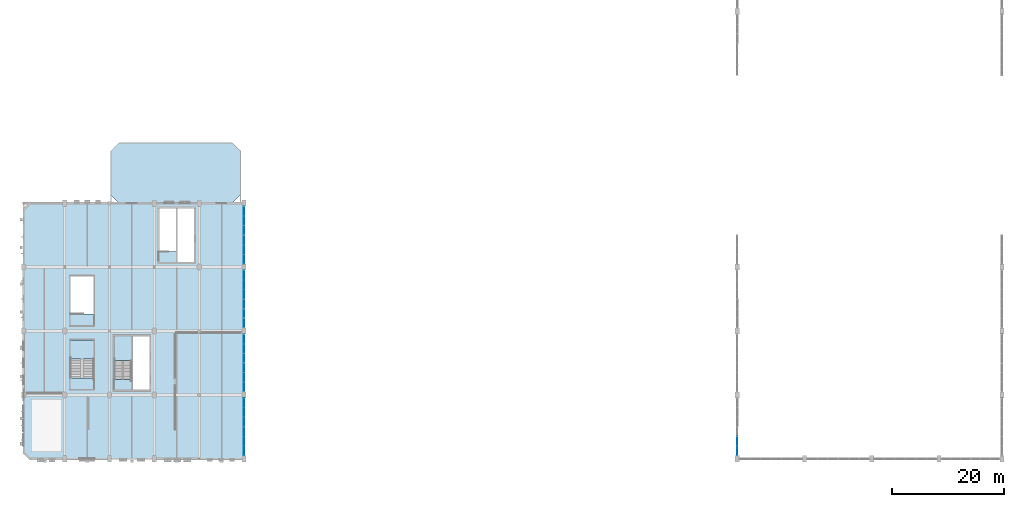
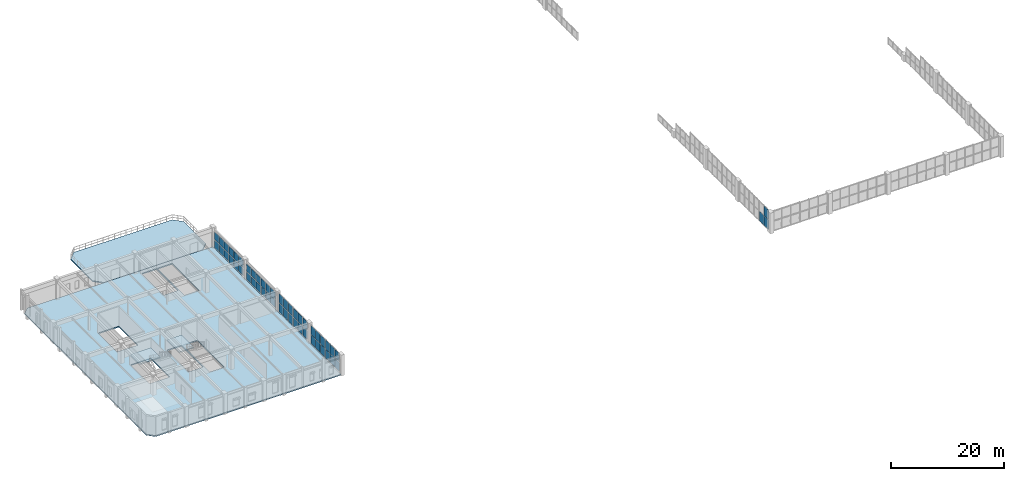
# One storey, part 30 of 48: 51 plates, 4 slabs, 11 elements without a shape of their own.
"""IFC4 building model written with IfcOpenShell, lengths in metres."""

from ifc_helpers import new_model, si_unit, direction, frame, origin, origin_2d, place, context, subcontext, project, spatial, polyline, rectangle, outline, extrude, material, layer, layer_set, type_object, element, aggregate, save


model = new_model("IFC4")

# Units and contexts
model_context = context("Model", 3, precision=1e-05, world=origin(), true_north=direction((0.0, 1.0)))
body_context = subcontext(model_context, "Body", "Model", "MODEL_VIEW")
ifc_project = project(units=[si_unit("LENGTHUNIT", "METRE"), si_unit("AREAUNIT", "SQUARE_METRE"), si_unit("VOLUMEUNIT", "CUBIC_METRE"), si_unit("PLANEANGLEUNIT", "RADIAN"), si_unit("MASSUNIT", "GRAM", prefix="KILO"), si_unit("POWERUNIT", "WATT"), si_unit("THERMODYNAMICTEMPERATUREUNIT", "KELVIN")], contexts=[model_context])

# Site, building, storey
site_placement = place(None, origin())
site = spatial("IfcSite", under=ifc_project, at=site_placement, CompositionType="ELEMENT")
building_placement = place(site_placement, origin())
building = spatial("IfcBuilding", under=site, at=building_placement, Name="Kelmbourne Parkland Aquatics Centre", CompositionType="ELEMENT")
storey_placement = place(building_placement, frame((0.0, 0.0, 14.699951171875)))
storey = spatial("IfcBuildingStorey", under=building, at=storey_placement, Name="L03", CompositionType="ELEMENT", Elevation=14.699951171875)

# Curtain wall, plates
ifc_material_1 = material(Name="Thermally broken anodised aluminium framing", Category="aluminium")
ifc_layer_1 = layer(ifc_material_1, 0.179931640625)
ifc_layer_set_1 = layer_set([ifc_layer_1], Name="Thermally broken anodised aluminium framing")
curtain_wall_type_1 = type_object("IfcCurtainWallType", Name="CW-06", PredefinedType="NOTDEFINED", material=ifc_layer_set_1)
curtain_wall_1_placement = place(storey_placement, origin())
curtain_wall_1 = element("IfcCurtainWall", 1, at=curtain_wall_1_placement, inside=storey, type_object=curtain_wall_type_1, Name="Wave-hall clerestory curtain wall CW-L03-006", PredefinedType="NOTDEFINED")
ifc_material_2 = material(Name="Double-glazed low-e laminated safety glass", Category="glass")
ifc_layer_2 = layer(ifc_material_2, 0.0419921875)
ifc_layer_set_2 = layer_set([ifc_layer_2], Name="Double-glazed low-e laminated safety glass")
plate_type_1 = type_object("IfcPlateType", Name="PL-CLR-1", PredefinedType="USERDEFINED", material=ifc_layer_set_2)
plate_1_placement = place(storey_placement, frame((128.0, 2.235107421875, 2.279296875), z_axis=(0.0, 0.0, 1.0), x_axis=(0.0, 1.0, 0.0)))
plate_1 = element("IfcPlate", 2, at=plate_1_placement, type_object=plate_type_1, Name="CW-L03-006 clerestory glazing 1-0", ObjectType="CLERESTORY GLAZING", PredefinedType="USERDEFINED", context=body_context, shape_type="SweptSolid", body=[
    extrude(rectangle(XDim=1.6279296875, YDim=0.0419921875, at=origin_2d()), origin(), (0.0, 0.0, 1.0), 2.053955078125),
])
ifc_layer_3 = layer(ifc_material_2, 0.02392578125)
ifc_layer_set_3 = layer_set([ifc_layer_3], Name="Double-glazed low-e laminated safety glass")
plate_type_2 = type_object("IfcPlateType", Name="PL-CWP-1", PredefinedType="CURTAIN_PANEL", material=ifc_layer_set_3)
plate_2_placement = place(storey_placement, frame((128.0, 2.235107421875, 0.1171875), z_axis=(0.0, 0.0, 1.0), x_axis=(0.0, 1.0, 0.0)))
plate_2 = element("IfcPlate", 3, at=plate_2_placement, type_object=plate_type_2, Name="CW-L03-006 vision glazing 0-0", PredefinedType="CURTAIN_PANEL", context=body_context, shape_type="SweptSolid", body=[
    extrude(rectangle(XDim=1.6279296875, YDim=0.02392578125, at=origin_2d()), origin(), (0.0, 0.0, 1.0), 2.053955078125),
])
plate_3_placement = place(storey_placement, frame((128.0, 3.926025390625, 0.1171875), z_axis=(0.0, 0.0, 1.0), x_axis=(0.0, 1.0, 0.0)))
plate_3 = element("IfcPlate", 4, at=plate_3_placement, type_object=plate_type_2, Name="CW-L03-006 vision glazing 0-1", PredefinedType="CURTAIN_PANEL", context=body_context, shape_type="SweptSolid", body=[
    extrude(rectangle(XDim=1.6279296875, YDim=0.02392578125, at=origin_2d()), origin(), (0.0, 0.0, 1.0), 2.053955078125),
])
aggregate(curtain_wall_1, [plate_2, plate_3, plate_1])

ifc_layer_4 = layer(ifc_material_1, 0.179931640625)
ifc_layer_set_4 = layer_set([ifc_layer_4], Name="Thermally broken anodised aluminium framing")
curtain_wall_type_2 = type_object("IfcCurtainWallType", Name="CW-15", PredefinedType="NOTDEFINED", material=ifc_layer_set_4)
curtain_wall_2_placement = place(storey_placement, origin())
curtain_wall_2 = element("IfcCurtainWall", 5, at=curtain_wall_2_placement, inside=storey, type_object=curtain_wall_type_2, Name="Facade curtain wall CW-L03-255", PredefinedType="NOTDEFINED")
plate_4_placement = place(storey_placement, frame((40.0, 2.231689453125, 0.1171875), z_axis=(0.0, 0.0, 1.0), x_axis=(0.0, 1.0, 0.0)))
plate_4 = element("IfcPlate", 6, at=plate_4_placement, type_object=plate_type_2, Name="CW-L03-255 vision glazing 0-0", PredefinedType="CURTAIN_PANEL", context=body_context, shape_type="SweptSolid", body=[
    extrude(rectangle(XDim=1.641357421875, YDim=0.02392578125, at=origin_2d()), origin(), (0.0, 0.0, 1.0), 1.928955078125),
])
plate_5_placement = place(storey_placement, frame((40.0, 3.926025390625, 0.1171875), z_axis=(0.0, 0.0, 1.0), x_axis=(0.0, 1.0, 0.0)))
plate_5 = element("IfcPlate", 7, at=plate_5_placement, type_object=plate_type_2, Name="CW-L03-255 vision glazing 0-1", PredefinedType="CURTAIN_PANEL", context=body_context, shape_type="SweptSolid", body=[
    extrude(rectangle(XDim=1.641357421875, YDim=0.02392578125, at=origin_2d()), origin(), (0.0, 0.0, 1.0), 1.928955078125),
])
plate_6_placement = place(storey_placement, frame((40.0, 5.620361328125, 0.1171875), z_axis=(0.0, 0.0, 1.0), x_axis=(0.0, 1.0, 0.0)))
plate_6 = element("IfcPlate", 8, at=plate_6_placement, type_object=plate_type_2, Name="CW-L03-255 vision glazing 0-2", PredefinedType="CURTAIN_PANEL", context=body_context, shape_type="SweptSolid", body=[
    extrude(rectangle(XDim=1.641357421875, YDim=0.02392578125, at=origin_2d()), origin(), (0.0, 0.0, 1.0), 1.928955078125),
])

ifc_layer_5 = layer(ifc_material_1, 0.179931640625)
ifc_layer_set_5 = layer_set([ifc_layer_5], Name="Thermally broken anodised aluminium framing")
curtain_wall_type_3 = type_object("IfcCurtainWallType", Name="CW-17", PredefinedType="NOTDEFINED", material=ifc_layer_set_5)
curtain_wall_3_placement = place(storey_placement, origin())
curtain_wall_3 = element("IfcCurtainWall", 9, at=curtain_wall_3_placement, inside=storey, type_object=curtain_wall_type_3, Name="Facade curtain wall CW-L03-257", PredefinedType="NOTDEFINED")
plate_7_placement = place(storey_placement, frame((40.0, 13.638427734375, 2.18408203125), z_axis=(0.0, 0.0, 1.0), x_axis=(0.0, 1.0, 0.0)))
plate_7 = element("IfcPlate", 10, at=plate_7_placement, type_object=plate_type_2, Name="CW-L03-257 vision glazing 1-0", PredefinedType="CURTAIN_PANEL", context=body_context, shape_type="SweptSolid", body=[
    extrude(rectangle(XDim=1.61474609375, YDim=0.02392578125, at=origin_2d()), origin(), (0.0, 0.0, 1.0), 1.839111328125),
])
plate_8_placement = place(storey_placement, frame((40.0, 15.325927734375, 2.18408203125), z_axis=(0.0, 0.0, 1.0), x_axis=(0.0, 1.0, 0.0)))
plate_8 = element("IfcPlate", 11, at=plate_8_placement, type_object=plate_type_2, Name="CW-L03-257 vision glazing 1-1", PredefinedType="CURTAIN_PANEL", context=body_context, shape_type="SweptSolid", body=[
    extrude(rectangle(XDim=1.614501953125, YDim=0.02392578125, at=origin_2d()), origin(), (0.0, 0.0, 1.0), 1.839111328125),
])
plate_9_placement = place(storey_placement, frame((40.0, 17.013671875, 2.18408203125), z_axis=(0.0, 0.0, 1.0), x_axis=(0.0, 1.0, 0.0)))
plate_9 = element("IfcPlate", 12, at=plate_9_placement, type_object=plate_type_2, Name="CW-L03-257 vision glazing 1-2", PredefinedType="CURTAIN_PANEL", context=body_context, shape_type="SweptSolid", body=[
    extrude(rectangle(XDim=1.61474609375, YDim=0.02392578125, at=origin_2d()), origin(), (0.0, 0.0, 1.0), 1.839111328125),
])

ifc_layer_6 = layer(ifc_material_1, 0.179931640625)
ifc_layer_set_6 = layer_set([ifc_layer_6], Name="Thermally broken anodised aluminium framing")
curtain_wall_type_4 = type_object("IfcCurtainWallType", Name="CW-18", PredefinedType="NOTDEFINED", material=ifc_layer_set_6)
curtain_wall_4_placement = place(storey_placement, origin())
curtain_wall_4 = element("IfcCurtainWall", 13, at=curtain_wall_4_placement, inside=storey, type_object=curtain_wall_type_4, Name="Facade curtain wall CW-L03-258", PredefinedType="NOTDEFINED")
plate_10_placement = place(storey_placement, frame((40.0, 18.78955078125, 0.1171875), z_axis=(0.0, 0.0, 1.0), x_axis=(0.0, 1.0, 0.0)))
plate_10 = element("IfcPlate", 14, at=plate_10_placement, type_object=plate_type_2, Name="CW-L03-258 vision glazing 0-0", PredefinedType="CURTAIN_PANEL", context=body_context, shape_type="SweptSolid", body=[
    extrude(rectangle(XDim=1.601318359375, YDim=0.02392578125, at=origin_2d()), origin(), (0.0, 0.0, 1.0), 1.928955078125),
])
plate_11_placement = place(storey_placement, frame((40.0, 20.47412109375, 0.1171875), z_axis=(0.0, 0.0, 1.0), x_axis=(0.0, 1.0, 0.0)))
plate_11 = element("IfcPlate", 15, at=plate_11_placement, type_object=plate_type_2, Name="CW-L03-258 vision glazing 0-1", PredefinedType="CURTAIN_PANEL", context=body_context, shape_type="SweptSolid", body=[
    extrude(rectangle(XDim=1.601318359375, YDim=0.02392578125, at=origin_2d()), origin(), (0.0, 0.0, 1.0), 1.928955078125),
])
plate_12_placement = place(storey_placement, frame((40.0, 22.158203125, 0.1171875), z_axis=(0.0, 0.0, 1.0), x_axis=(0.0, 1.0, 0.0)))
plate_12 = element("IfcPlate", 16, at=plate_12_placement, type_object=plate_type_2, Name="CW-L03-258 vision glazing 0-2", PredefinedType="CURTAIN_PANEL", context=body_context, shape_type="SweptSolid", body=[
    extrude(rectangle(XDim=1.601318359375, YDim=0.02392578125, at=origin_2d()), origin(), (0.0, 0.0, 1.0), 1.928955078125),
])

ifc_layer_7 = layer(ifc_material_1, 0.179931640625)
ifc_layer_set_7 = layer_set([ifc_layer_7], Name="Thermally broken anodised aluminium framing")
curtain_wall_type_5 = type_object("IfcCurtainWallType", Name="CW-20", PredefinedType="NOTDEFINED", material=ifc_layer_set_7)
curtain_wall_5_placement = place(storey_placement, origin())
curtain_wall_5 = element("IfcCurtainWall", 17, at=curtain_wall_5_placement, inside=storey, type_object=curtain_wall_type_5, Name="Facade curtain wall CW-L03-260", PredefinedType="NOTDEFINED")
plate_13_placement = place(storey_placement, frame((40.0, 30.1796875, 1.93994140625), z_axis=(0.0, 0.0, 1.0), x_axis=(0.0, 1.0, 0.0)))
plate_13 = element("IfcPlate", 18, at=plate_13_placement, type_object=plate_type_2, Name="CW-L03-260 vision glazing 1-0", PredefinedType="CURTAIN_PANEL", context=body_context, shape_type="SweptSolid", body=[
    extrude(rectangle(XDim=1.641357421875, YDim=0.02392578125, at=origin_2d()), origin(), (0.0, 0.0, 1.0), 1.594970703125),
])
plate_14_placement = place(storey_placement, frame((40.0, 31.8740234375, 1.93994140625), z_axis=(0.0, 0.0, 1.0), x_axis=(0.0, 1.0, 0.0)))
plate_14 = element("IfcPlate", 19, at=plate_14_placement, type_object=plate_type_2, Name="CW-L03-260 vision glazing 1-1", PredefinedType="CURTAIN_PANEL", context=body_context, shape_type="SweptSolid", body=[
    extrude(rectangle(XDim=1.641357421875, YDim=0.02392578125, at=origin_2d()), origin(), (0.0, 0.0, 1.0), 1.594970703125),
])
plate_15_placement = place(storey_placement, frame((40.0, 33.568359375, 1.93994140625), z_axis=(0.0, 0.0, 1.0), x_axis=(0.0, 1.0, 0.0)))
plate_15 = element("IfcPlate", 20, at=plate_15_placement, type_object=plate_type_2, Name="CW-L03-260 vision glazing 1-2", PredefinedType="CURTAIN_PANEL", context=body_context, shape_type="SweptSolid", body=[
    extrude(rectangle(XDim=1.641357421875, YDim=0.02392578125, at=origin_2d()), origin(), (0.0, 0.0, 1.0), 1.594970703125),
])

ifc_layer_8 = layer(ifc_material_1, 0.179931640625)
ifc_layer_set_8 = layer_set([ifc_layer_8], Name="Thermally broken anodised aluminium framing")
curtain_wall_type_6 = type_object("IfcCurtainWallType", Name="CW-21", PredefinedType="NOTDEFINED", material=ifc_layer_set_8)
curtain_wall_6_placement = place(storey_placement, origin())
curtain_wall_6 = element("IfcCurtainWall", 21, at=curtain_wall_6_placement, inside=storey, type_object=curtain_wall_type_6, Name="Facade curtain wall CW-L03-261", PredefinedType="NOTDEFINED")
plate_16_placement = place(storey_placement, frame((40.0, 36.43505859375, 0.116943359375), z_axis=(0.0, 0.0, 1.0), x_axis=(0.0, 1.0, 0.0)))
plate_16 = element("IfcPlate", 22, at=plate_16_placement, type_object=plate_type_2, Name="CW-L03-261 vision glazing 0-0", PredefinedType="CURTAIN_PANEL", context=body_context, shape_type="SweptSolid", body=[
    extrude(rectangle(XDim=1.6279296875, YDim=0.02392578125, at=origin_2d()), origin(), (0.0, 0.0, 1.0), 1.68505859375),
])
plate_17_placement = place(storey_placement, frame((40.0, 38.1259765625, 0.116943359375), z_axis=(0.0, 0.0, 1.0), x_axis=(0.0, 1.0, 0.0)))
plate_17 = element("IfcPlate", 23, at=plate_17_placement, type_object=plate_type_2, Name="CW-L03-261 vision glazing 0-1", PredefinedType="CURTAIN_PANEL", context=body_context, shape_type="SweptSolid", body=[
    extrude(rectangle(XDim=1.6279296875, YDim=0.02392578125, at=origin_2d()), origin(), (0.0, 0.0, 1.0), 1.68505859375),
])
plate_18_placement = place(storey_placement, frame((40.0, 39.81689453125, 0.116943359375), z_axis=(0.0, 0.0, 1.0), x_axis=(0.0, 1.0, 0.0)))
plate_18 = element("IfcPlate", 24, at=plate_18_placement, type_object=plate_type_2, Name="CW-L03-261 vision glazing 0-2", PredefinedType="CURTAIN_PANEL", context=body_context, shape_type="SweptSolid", body=[
    extrude(rectangle(XDim=1.6279296875, YDim=0.02392578125, at=origin_2d()), origin(), (0.0, 0.0, 1.0), 1.68505859375),
])

# Plate
ifc_layer_9 = layer(ifc_material_2, 0.035888671875)
ifc_layer_set_9 = layer_set([ifc_layer_9], Name="Double-glazed low-e laminated safety glass")
plate_type_3 = type_object("IfcPlateType", Name="PL-CWP-2", PredefinedType="CURTAIN_PANEL", material=ifc_layer_set_9)
plate_19_placement = place(storey_placement, frame((40.0, 2.231689453125, 2.154296875), z_axis=(0.0, 0.0, 1.0), x_axis=(0.0, 1.0, 0.0)))
plate_19 = element("IfcPlate", 25, at=plate_19_placement, type_object=plate_type_3, Name="CW-L03-255 vision glazing 1-0", PredefinedType="CURTAIN_PANEL", context=body_context, shape_type="SweptSolid", body=[
    extrude(rectangle(XDim=1.641357421875, YDim=0.035888671875, at=origin_2d()), origin(), (0.0, 0.0, 1.0), 1.928955078125),
])

plate_20_placement = place(storey_placement, frame((40.0, 3.926025390625, 2.154296875), z_axis=(0.0, 0.0, 1.0), x_axis=(0.0, 1.0, 0.0)))
plate_20 = element("IfcPlate", 26, at=plate_20_placement, type_object=plate_type_3, Name="CW-L03-255 vision glazing 1-1", PredefinedType="CURTAIN_PANEL", context=body_context, shape_type="SweptSolid", body=[
    extrude(rectangle(XDim=1.641357421875, YDim=0.035888671875, at=origin_2d()), origin(), (0.0, 0.0, 1.0), 1.928955078125),
])

plate_21_placement = place(storey_placement, frame((40.0, 5.620361328125, 2.154296875), z_axis=(0.0, 0.0, 1.0), x_axis=(0.0, 1.0, 0.0)))
plate_21 = element("IfcPlate", 27, at=plate_21_placement, type_object=plate_type_3, Name="CW-L03-255 vision glazing 1-2", PredefinedType="CURTAIN_PANEL", context=body_context, shape_type="SweptSolid", body=[
    extrude(rectangle(XDim=1.641357421875, YDim=0.035888671875, at=origin_2d()), origin(), (0.0, 0.0, 1.0), 1.928955078125),
])

aggregate(curtain_wall_2, [plate_4, plate_5, plate_6, plate_19, plate_20, plate_21])

# Curtain wall, plates
ifc_layer_10 = layer(ifc_material_1, 0.179931640625)
ifc_layer_set_10 = layer_set([ifc_layer_10], Name="Thermally broken anodised aluminium framing")
curtain_wall_type_7 = type_object("IfcCurtainWallType", Name="CW-16", PredefinedType="NOTDEFINED", material=ifc_layer_set_10)
curtain_wall_7_placement = place(storey_placement, origin())
curtain_wall_7 = element("IfcCurtainWall", 28, at=curtain_wall_7_placement, inside=storey, type_object=curtain_wall_type_7, Name="Facade curtain wall CW-L03-256", PredefinedType="NOTDEFINED")
plate_22_placement = place(storey_placement, frame((40.0, 7.383056640625, 0.14697265625), z_axis=(0.0, 0.0, 1.0), x_axis=(0.0, 1.0, 0.0)))
plate_22 = element("IfcPlate", 29, at=plate_22_placement, type_object=plate_type_3, Name="CW-L03-256 vision glazing 0-0", PredefinedType="CURTAIN_PANEL", context=body_context, shape_type="SweptSolid", body=[
    extrude(rectangle(XDim=1.6279296875, YDim=0.035888671875, at=origin_2d()), origin(), (0.0, 0.0, 1.0), 1.884033203125),
])
plate_23_placement = place(storey_placement, frame((40.0, 9.073974609375, 0.14697265625), z_axis=(0.0, 0.0, 1.0), x_axis=(0.0, 1.0, 0.0)))
plate_23 = element("IfcPlate", 30, at=plate_23_placement, type_object=plate_type_3, Name="CW-L03-256 vision glazing 0-1", PredefinedType="CURTAIN_PANEL", context=body_context, shape_type="SweptSolid", body=[
    extrude(rectangle(XDim=1.6279296875, YDim=0.035888671875, at=origin_2d()), origin(), (0.0, 0.0, 1.0), 1.884033203125),
])
plate_24_placement = place(storey_placement, frame((40.0, 10.764892578125, 0.14697265625), z_axis=(0.0, 0.0, 1.0), x_axis=(0.0, 1.0, 0.0)))
plate_24 = element("IfcPlate", 31, at=plate_24_placement, type_object=plate_type_3, Name="CW-L03-256 vision glazing 0-2", PredefinedType="CURTAIN_PANEL", context=body_context, shape_type="SweptSolid", body=[
    extrude(rectangle(XDim=1.6279296875, YDim=0.035888671875, at=origin_2d()), origin(), (0.0, 0.0, 1.0), 1.884033203125),
])

# Plate
plate_25_placement = place(storey_placement, frame((40.0, 18.78955078125, 2.154296875), z_axis=(0.0, 0.0, 1.0), x_axis=(0.0, 1.0, 0.0)))
plate_25 = element("IfcPlate", 32, at=plate_25_placement, type_object=plate_type_3, Name="CW-L03-258 vision glazing 1-0", PredefinedType="CURTAIN_PANEL", context=body_context, shape_type="SweptSolid", body=[
    extrude(rectangle(XDim=1.601318359375, YDim=0.035888671875, at=origin_2d()), origin(), (0.0, 0.0, 1.0), 1.928955078125),
])

plate_26_placement = place(storey_placement, frame((40.0, 20.47412109375, 2.154296875), z_axis=(0.0, 0.0, 1.0), x_axis=(0.0, 1.0, 0.0)))
plate_26 = element("IfcPlate", 33, at=plate_26_placement, type_object=plate_type_3, Name="CW-L03-258 vision glazing 1-1", PredefinedType="CURTAIN_PANEL", context=body_context, shape_type="SweptSolid", body=[
    extrude(rectangle(XDim=1.601318359375, YDim=0.035888671875, at=origin_2d()), origin(), (0.0, 0.0, 1.0), 1.928955078125),
])

plate_27_placement = place(storey_placement, frame((40.0, 22.158203125, 2.154296875), z_axis=(0.0, 0.0, 1.0), x_axis=(0.0, 1.0, 0.0)))
plate_27 = element("IfcPlate", 34, at=plate_27_placement, type_object=plate_type_3, Name="CW-L03-258 vision glazing 1-2", PredefinedType="CURTAIN_PANEL", context=body_context, shape_type="SweptSolid", body=[
    extrude(rectangle(XDim=1.601318359375, YDim=0.035888671875, at=origin_2d()), origin(), (0.0, 0.0, 1.0), 1.928955078125),
])

aggregate(curtain_wall_4, [plate_10, plate_11, plate_12, plate_25, plate_26, plate_27])

# Curtain wall, plates
ifc_layer_11 = layer(ifc_material_1, 0.179931640625)
ifc_layer_set_11 = layer_set([ifc_layer_11], Name="Thermally broken anodised aluminium framing")
curtain_wall_type_8 = type_object("IfcCurtainWallType", Name="CW-19", PredefinedType="NOTDEFINED", material=ifc_layer_set_11)
curtain_wall_8_placement = place(storey_placement, origin())
curtain_wall_8 = element("IfcCurtainWall", 35, at=curtain_wall_8_placement, inside=storey, type_object=curtain_wall_type_8, Name="Facade curtain wall CW-L03-259", PredefinedType="NOTDEFINED")
plate_28_placement = place(storey_placement, frame((40.0, 25.044921875, 0.14697265625), z_axis=(0.0, 0.0, 1.0), x_axis=(0.0, 1.0, 0.0)))
plate_28 = element("IfcPlate", 36, at=plate_28_placement, type_object=plate_type_3, Name="CW-L03-259 vision glazing 0-0", PredefinedType="CURTAIN_PANEL", context=body_context, shape_type="SweptSolid", body=[
    extrude(rectangle(XDim=1.587890625, YDim=0.035888671875, at=origin_2d()), origin(), (0.0, 0.0, 1.0), 1.639892578125),
])
plate_29_placement = place(storey_placement, frame((40.0, 26.72607421875, 0.14697265625), z_axis=(0.0, 0.0, 1.0), x_axis=(0.0, 1.0, 0.0)))
plate_29 = element("IfcPlate", 37, at=plate_29_placement, type_object=plate_type_3, Name="CW-L03-259 vision glazing 0-1", PredefinedType="CURTAIN_PANEL", context=body_context, shape_type="SweptSolid", body=[
    extrude(rectangle(XDim=1.587890625, YDim=0.035888671875, at=origin_2d()), origin(), (0.0, 0.0, 1.0), 1.639892578125),
])
plate_30_placement = place(storey_placement, frame((40.0, 28.406982421875, 0.14697265625), z_axis=(0.0, 0.0, 1.0), x_axis=(0.0, 1.0, 0.0)))
plate_30 = element("IfcPlate", 38, at=plate_30_placement, type_object=plate_type_3, Name="CW-L03-259 vision glazing 0-2", PredefinedType="CURTAIN_PANEL", context=body_context, shape_type="SweptSolid", body=[
    extrude(rectangle(XDim=1.587890625, YDim=0.035888671875, at=origin_2d()), origin(), (0.0, 0.0, 1.0), 1.639892578125),
])

# Plate
plate_31_placement = place(storey_placement, frame((40.0, 36.43505859375, 1.909912109375), z_axis=(0.0, 0.0, 1.0), x_axis=(0.0, 1.0, 0.0)))
plate_31 = element("IfcPlate", 39, at=plate_31_placement, type_object=plate_type_3, Name="CW-L03-261 vision glazing 1-0", PredefinedType="CURTAIN_PANEL", context=body_context, shape_type="SweptSolid", body=[
    extrude(rectangle(XDim=1.6279296875, YDim=0.035888671875, at=origin_2d()), origin(), (0.0, 0.0, 1.0), 1.68505859375),
])

plate_32_placement = place(storey_placement, frame((40.0, 38.1259765625, 1.909912109375), z_axis=(0.0, 0.0, 1.0), x_axis=(0.0, 1.0, 0.0)))
plate_32 = element("IfcPlate", 40, at=plate_32_placement, type_object=plate_type_3, Name="CW-L03-261 vision glazing 1-1", PredefinedType="CURTAIN_PANEL", context=body_context, shape_type="SweptSolid", body=[
    extrude(rectangle(XDim=1.6279296875, YDim=0.035888671875, at=origin_2d()), origin(), (0.0, 0.0, 1.0), 1.68505859375),
])

plate_33_placement = place(storey_placement, frame((40.0, 39.81689453125, 1.909912109375), z_axis=(0.0, 0.0, 1.0), x_axis=(0.0, 1.0, 0.0)))
plate_33 = element("IfcPlate", 41, at=plate_33_placement, type_object=plate_type_3, Name="CW-L03-261 vision glazing 1-2", PredefinedType="CURTAIN_PANEL", context=body_context, shape_type="SweptSolid", body=[
    extrude(rectangle(XDim=1.6279296875, YDim=0.035888671875, at=origin_2d()), origin(), (0.0, 0.0, 1.0), 1.68505859375),
])

aggregate(curtain_wall_6, [plate_16, plate_17, plate_18, plate_31, plate_32, plate_33])

# Curtain wall, plates
ifc_layer_12 = layer(ifc_material_1, 0.179931640625)
ifc_layer_set_12 = layer_set([ifc_layer_12], Name="Thermally broken anodised aluminium framing")
curtain_wall_type_9 = type_object("IfcCurtainWallType", Name="CW-22", PredefinedType="NOTDEFINED", material=ifc_layer_set_12)
curtain_wall_9_placement = place(storey_placement, origin())
curtain_wall_9 = element("IfcCurtainWall", 42, at=curtain_wall_9_placement, inside=storey, type_object=curtain_wall_type_9, Name="Facade curtain wall CW-L03-262", PredefinedType="NOTDEFINED")
plate_34_placement = place(storey_placement, frame((40.0, 41.58642578125, 0.14697265625), z_axis=(0.0, 0.0, 1.0), x_axis=(0.0, 1.0, 0.0)))
plate_34 = element("IfcPlate", 43, at=plate_34_placement, type_object=plate_type_3, Name="CW-L03-262 vision glazing 0-0", PredefinedType="CURTAIN_PANEL", context=body_context, shape_type="SweptSolid", body=[
    extrude(rectangle(XDim=1.61474609375, YDim=0.035888671875, at=origin_2d()), origin(), (0.0, 0.0, 1.0), 1.639892578125),
])
plate_35_placement = place(storey_placement, frame((40.0, 43.27392578125, 0.14697265625), z_axis=(0.0, 0.0, 1.0), x_axis=(0.0, 1.0, 0.0)))
plate_35 = element("IfcPlate", 44, at=plate_35_placement, type_object=plate_type_3, Name="CW-L03-262 vision glazing 0-1", PredefinedType="CURTAIN_PANEL", context=body_context, shape_type="SweptSolid", body=[
    extrude(rectangle(XDim=1.614501953125, YDim=0.035888671875, at=origin_2d()), origin(), (0.0, 0.0, 1.0), 1.639892578125),
])
plate_36_placement = place(storey_placement, frame((40.0, 44.961669921875, 0.14697265625), z_axis=(0.0, 0.0, 1.0), x_axis=(0.0, 1.0, 0.0)))
plate_36 = element("IfcPlate", 45, at=plate_36_placement, type_object=plate_type_3, Name="CW-L03-262 vision glazing 0-2", PredefinedType="CURTAIN_PANEL", context=body_context, shape_type="SweptSolid", body=[
    extrude(rectangle(XDim=1.61474609375, YDim=0.035888671875, at=origin_2d()), origin(), (0.0, 0.0, 1.0), 1.639892578125),
])

# Plate
ifc_layer_13 = layer(ifc_material_2, 0.048095703125)
ifc_layer_set_13 = layer_set([ifc_layer_13], Name="Double-glazed low-e laminated safety glass")
plate_type_4 = type_object("IfcPlateType", Name="PL-CWP-3", PredefinedType="CURTAIN_PANEL", material=ifc_layer_set_13)
plate_37_placement = place(storey_placement, frame((40.0, 7.383056640625, 2.1689453125), z_axis=(0.0, 0.0, 1.0), x_axis=(0.0, 1.0, 0.0)))
plate_37 = element("IfcPlate", 46, at=plate_37_placement, type_object=plate_type_4, Name="CW-L03-256 vision glazing 1-0", PredefinedType="CURTAIN_PANEL", context=body_context, shape_type="SweptSolid", body=[
    extrude(rectangle(XDim=1.6279296875, YDim=0.048095703125, at=origin_2d()), origin(), (0.0, 0.0, 1.0), 1.884033203125),
])

plate_38_placement = place(storey_placement, frame((40.0, 9.073974609375, 2.1689453125), z_axis=(0.0, 0.0, 1.0), x_axis=(0.0, 1.0, 0.0)))
plate_38 = element("IfcPlate", 47, at=plate_38_placement, type_object=plate_type_4, Name="CW-L03-256 vision glazing 1-1", PredefinedType="CURTAIN_PANEL", context=body_context, shape_type="SweptSolid", body=[
    extrude(rectangle(XDim=1.6279296875, YDim=0.048095703125, at=origin_2d()), origin(), (0.0, 0.0, 1.0), 1.884033203125),
])

plate_39_placement = place(storey_placement, frame((40.0, 10.764892578125, 2.1689453125), z_axis=(0.0, 0.0, 1.0), x_axis=(0.0, 1.0, 0.0)))
plate_39 = element("IfcPlate", 48, at=plate_39_placement, type_object=plate_type_4, Name="CW-L03-256 vision glazing 1-2", PredefinedType="CURTAIN_PANEL", context=body_context, shape_type="SweptSolid", body=[
    extrude(rectangle(XDim=1.6279296875, YDim=0.048095703125, at=origin_2d()), origin(), (0.0, 0.0, 1.0), 1.884033203125),
])

aggregate(curtain_wall_7, [plate_22, plate_23, plate_24, plate_37, plate_38, plate_39])

plate_40_placement = place(storey_placement, frame((40.0, 13.638427734375, 0.1767578125), z_axis=(0.0, 0.0, 1.0), x_axis=(0.0, 1.0, 0.0)))
plate_40 = element("IfcPlate", 49, at=plate_40_placement, type_object=plate_type_4, Name="CW-L03-257 vision glazing 0-0", PredefinedType="CURTAIN_PANEL", context=body_context, shape_type="SweptSolid", body=[
    extrude(rectangle(XDim=1.61474609375, YDim=0.048095703125, at=origin_2d()), origin(), (0.0, 0.0, 1.0), 1.839111328125),
])

plate_41_placement = place(storey_placement, frame((40.0, 15.325927734375, 0.1767578125), z_axis=(0.0, 0.0, 1.0), x_axis=(0.0, 1.0, 0.0)))
plate_41 = element("IfcPlate", 50, at=plate_41_placement, type_object=plate_type_4, Name="CW-L03-257 vision glazing 0-1", PredefinedType="CURTAIN_PANEL", context=body_context, shape_type="SweptSolid", body=[
    extrude(rectangle(XDim=1.614501953125, YDim=0.048095703125, at=origin_2d()), origin(), (0.0, 0.0, 1.0), 1.839111328125),
])

plate_42_placement = place(storey_placement, frame((40.0, 17.013671875, 0.1767578125), z_axis=(0.0, 0.0, 1.0), x_axis=(0.0, 1.0, 0.0)))
plate_42 = element("IfcPlate", 51, at=plate_42_placement, type_object=plate_type_4, Name="CW-L03-257 vision glazing 0-2", PredefinedType="CURTAIN_PANEL", context=body_context, shape_type="SweptSolid", body=[
    extrude(rectangle(XDim=1.61474609375, YDim=0.048095703125, at=origin_2d()), origin(), (0.0, 0.0, 1.0), 1.839111328125),
])

aggregate(curtain_wall_3, [plate_40, plate_41, plate_42, plate_7, plate_8, plate_9])

plate_43_placement = place(storey_placement, frame((40.0, 25.044921875, 1.92529296875), z_axis=(0.0, 0.0, 1.0), x_axis=(0.0, 1.0, 0.0)))
plate_43 = element("IfcPlate", 52, at=plate_43_placement, type_object=plate_type_4, Name="CW-L03-259 vision glazing 1-0", PredefinedType="CURTAIN_PANEL", context=body_context, shape_type="SweptSolid", body=[
    extrude(rectangle(XDim=1.587890625, YDim=0.048095703125, at=origin_2d()), origin(), (0.0, 0.0, 1.0), 1.639892578125),
])

plate_44_placement = place(storey_placement, frame((40.0, 26.72607421875, 1.92529296875), z_axis=(0.0, 0.0, 1.0), x_axis=(0.0, 1.0, 0.0)))
plate_44 = element("IfcPlate", 53, at=plate_44_placement, type_object=plate_type_4, Name="CW-L03-259 vision glazing 1-1", PredefinedType="CURTAIN_PANEL", context=body_context, shape_type="SweptSolid", body=[
    extrude(rectangle(XDim=1.587890625, YDim=0.048095703125, at=origin_2d()), origin(), (0.0, 0.0, 1.0), 1.639892578125),
])

plate_45_placement = place(storey_placement, frame((40.0, 28.406982421875, 1.92529296875), z_axis=(0.0, 0.0, 1.0), x_axis=(0.0, 1.0, 0.0)))
plate_45 = element("IfcPlate", 54, at=plate_45_placement, type_object=plate_type_4, Name="CW-L03-259 vision glazing 1-2", PredefinedType="CURTAIN_PANEL", context=body_context, shape_type="SweptSolid", body=[
    extrude(rectangle(XDim=1.587890625, YDim=0.048095703125, at=origin_2d()), origin(), (0.0, 0.0, 1.0), 1.639892578125),
])

aggregate(curtain_wall_8, [plate_28, plate_29, plate_30, plate_43, plate_44, plate_45])

plate_46_placement = place(storey_placement, frame((40.0, 30.1796875, 0.17724609375), z_axis=(0.0, 0.0, 1.0), x_axis=(0.0, 1.0, 0.0)))
plate_46 = element("IfcPlate", 55, at=plate_46_placement, type_object=plate_type_4, Name="CW-L03-260 vision glazing 0-0", PredefinedType="CURTAIN_PANEL", context=body_context, shape_type="SweptSolid", body=[
    extrude(rectangle(XDim=1.641357421875, YDim=0.048095703125, at=origin_2d()), origin(), (0.0, 0.0, 1.0), 1.594970703125),
])

plate_47_placement = place(storey_placement, frame((40.0, 31.8740234375, 0.17724609375), z_axis=(0.0, 0.0, 1.0), x_axis=(0.0, 1.0, 0.0)))
plate_47 = element("IfcPlate", 56, at=plate_47_placement, type_object=plate_type_4, Name="CW-L03-260 vision glazing 0-1", PredefinedType="CURTAIN_PANEL", context=body_context, shape_type="SweptSolid", body=[
    extrude(rectangle(XDim=1.641357421875, YDim=0.048095703125, at=origin_2d()), origin(), (0.0, 0.0, 1.0), 1.594970703125),
])

plate_48_placement = place(storey_placement, frame((40.0, 33.568359375, 0.17724609375), z_axis=(0.0, 0.0, 1.0), x_axis=(0.0, 1.0, 0.0)))
plate_48 = element("IfcPlate", 57, at=plate_48_placement, type_object=plate_type_4, Name="CW-L03-260 vision glazing 0-2", PredefinedType="CURTAIN_PANEL", context=body_context, shape_type="SweptSolid", body=[
    extrude(rectangle(XDim=1.641357421875, YDim=0.048095703125, at=origin_2d()), origin(), (0.0, 0.0, 1.0), 1.594970703125),
])

aggregate(curtain_wall_5, [plate_46, plate_47, plate_48, plate_13, plate_14, plate_15])

plate_49_placement = place(storey_placement, frame((40.0, 41.58642578125, 1.92529296875), z_axis=(0.0, 0.0, 1.0), x_axis=(0.0, 1.0, 0.0)))
plate_49 = element("IfcPlate", 58, at=plate_49_placement, type_object=plate_type_4, Name="CW-L03-262 vision glazing 1-0", PredefinedType="CURTAIN_PANEL", context=body_context, shape_type="SweptSolid", body=[
    extrude(rectangle(XDim=1.61474609375, YDim=0.048095703125, at=origin_2d()), origin(), (0.0, 0.0, 1.0), 1.639892578125),
])

plate_50_placement = place(storey_placement, frame((40.0, 43.27392578125, 1.92529296875), z_axis=(0.0, 0.0, 1.0), x_axis=(0.0, 1.0, 0.0)))
plate_50 = element("IfcPlate", 59, at=plate_50_placement, type_object=plate_type_4, Name="CW-L03-262 vision glazing 1-1", PredefinedType="CURTAIN_PANEL", context=body_context, shape_type="SweptSolid", body=[
    extrude(rectangle(XDim=1.614501953125, YDim=0.048095703125, at=origin_2d()), origin(), (0.0, 0.0, 1.0), 1.639892578125),
])

plate_51_placement = place(storey_placement, frame((40.0, 44.961669921875, 1.92529296875), z_axis=(0.0, 0.0, 1.0), x_axis=(0.0, 1.0, 0.0)))
plate_51 = element("IfcPlate", 60, at=plate_51_placement, type_object=plate_type_4, Name="CW-L03-262 vision glazing 1-2", PredefinedType="CURTAIN_PANEL", context=body_context, shape_type="SweptSolid", body=[
    extrude(rectangle(XDim=1.61474609375, YDim=0.048095703125, at=origin_2d()), origin(), (0.0, 0.0, 1.0), 1.639892578125),
])

aggregate(curtain_wall_9, [plate_34, plate_35, plate_36, plate_49, plate_50, plate_51])

# Slab
ifc_material_3 = material(Name="Concrete C40/50", Category="concrete")
ifc_layer_14 = layer(ifc_material_3, 0.239990234375)
ifc_layer_set_14 = layer_set([ifc_layer_14], Name="Concrete C40/50")
slab_type_1 = type_object("IfcSlabType", Name="SL-F2", PredefinedType="FLOOR", material=ifc_layer_set_14)
slab_1_placement = place(storey_placement, frame((0.0, 0.0, -0.239990234375)))
element("IfcSlab", 61, at=slab_1_placement, inside=storey, type_object=slab_type_1, Name="Suspended floor slab SLAB-L03-V5", PredefinedType="FLOOR", context=body_context, shape_type="SweptSolid", body=[
    extrude(outline(polyline([(39.949951171875, 0.800048828125), (39.949951171875, 46.39990234375), (1.89990234375, 46.39990234375), (0.699951171875, 45.199951171875), (0.699951171875, 2.0), (1.89990234375, 0.800048828125), (39.949951171875, 0.800048828125)]), holes=[polyline([(20.125, 22.699951171875), (23.10009765625, 22.699951171875), (23.10009765625, 13.10009765625), (20.125, 13.10009765625), (20.125, 22.699951171875)]), polyline([(13.199951171875, 22.0), (13.199951171875, 15.25), (9.0, 15.25), (9.0, 22.0), (13.199951171875, 22.0)]), polyline([(19.875, 22.699951171875), (19.875, 14.949951171875), (16.89990234375, 14.949951171875), (16.89990234375, 22.699951171875), (19.875, 22.699951171875)]), polyline([(9.0, 33.39990234375), (13.199951171875, 33.39990234375), (13.199951171875, 26.64990234375), (9.0, 26.64990234375), (9.0, 33.39990234375)]), polyline([(31.10009765625, 45.5), (31.10009765625, 35.89990234375), (28.125, 35.89990234375), (28.125, 45.5), (31.10009765625, 45.5)]), polyline([(27.875, 45.5), (27.875, 37.75), (24.89990234375, 37.75), (24.89990234375, 45.5), (27.875, 45.5)])]), origin(), (0.0, 0.0, 1.0), 0.239990234375),
])

# Stair, slab
stair_type_1 = type_object("IfcStairType", Name="ST-T05", PredefinedType="HALF_TURN_STAIR", material=ifc_material_3)
stair_1_placement = place(storey_placement, origin())
stair_1 = element("IfcStair", 62, at=stair_1_placement, inside=storey, type_object=stair_type_1, Name="West Wing South Fire-Fighting Core Stair ST01 (L03)", PredefinedType="HALF_TURN_STAIR")
ifc_layer_15 = layer(ifc_material_3, 0.199951171875)
ifc_layer_set_15 = layer_set([ifc_layer_15], Name="Concrete C40/50")
slab_type_2 = type_object("IfcSlabType", Name="SL-LND-20", PredefinedType="LANDING", material=ifc_layer_set_15)
slab_2_placement = place(storey_placement, frame((0.0, 0.0, 2.050048828125)))
slab_2 = element("IfcSlab", 63, at=slab_2_placement, type_object=slab_type_2, Name="West Wing South Fire-Fighting Core Stair ST01 half-landing (L03)", PredefinedType="LANDING", context=body_context, shape_type="SweptSolid", body=[
    extrude(outline(polyline([(16.8798828125, 18.31005859375), (19.89501953125, 18.31005859375), (19.89501953125, 22.719970703125), (16.8798828125, 22.719970703125), (16.8798828125, 18.31005859375)])), origin(), (0.0, 0.0, 1.0), 0.199951171875),
])
aggregate(stair_1, [slab_2])

stair_type_2 = type_object("IfcStairType", Name="ST-T24", PredefinedType="HALF_TURN_STAIR", material=ifc_material_3)
stair_2_placement = place(storey_placement, origin())
stair_2 = element("IfcStair", 64, at=stair_2_placement, inside=storey, type_object=stair_type_2, Name="West South Perimeter Exit Stair (L03)", PredefinedType="HALF_TURN_STAIR")
slab_3_placement = place(storey_placement, frame((0.0, 0.0, 2.050048828125)))
slab_3 = element("IfcSlab", 65, at=slab_3_placement, type_object=slab_type_2, Name="West South Perimeter Exit Stair half-landing (L03)", PredefinedType="LANDING", context=body_context, shape_type="SweptSolid", body=[
    extrude(outline(polyline([(8.97998046875, 18.610107421875), (13.219970703125, 18.610107421875), (13.219970703125, 22.02001953125), (8.97998046875, 22.02001953125), (8.97998046875, 18.610107421875)])), origin(), (0.0, 0.0, 1.0), 0.199951171875),
])
aggregate(stair_2, [slab_3])

# Slab
ifc_material_4 = material(Name="Waterproof concrete C50/60", Category="concrete")
ifc_layer_16 = layer(ifc_material_4, 0.239990234375)
ifc_layer_set_16 = layer_set([ifc_layer_16], Name="Waterproof concrete C50/60")
slab_type_3 = type_object("IfcSlabType", Name="SL-TER", PredefinedType="FLOOR", material=ifc_layer_set_16)
slab_4_placement = place(storey_placement, frame((0.0, 0.0, -0.239990234375)))
element("IfcSlab", 66, at=slab_4_placement, inside=storey, type_object=slab_type_3, Name="L03 Wellness Solarium Roof Terrace", PredefinedType="FLOOR", context=body_context, shape_type="SweptSolid", body=[
    extrude(outline(polyline([(17.699951171875, 46.39990234375), (37.89990234375, 46.39990234375), (39.39990234375, 47.89990234375), (39.39990234375, 55.699951171875), (37.89990234375, 57.199951171875), (17.699951171875, 57.199951171875), (16.199951171875, 55.699951171875), (16.199951171875, 47.89990234375), (17.699951171875, 46.39990234375)])), origin(), (0.0, 0.0, 1.0), 0.239990234375),
])

save(model, "model.ifc")
